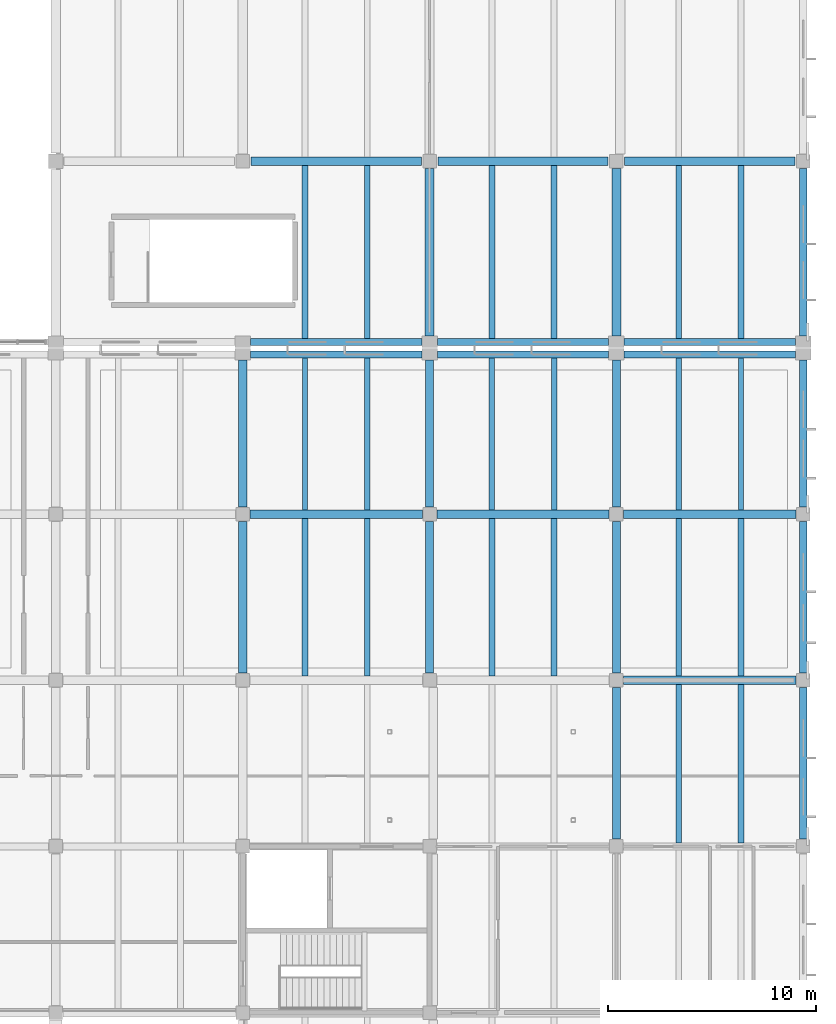
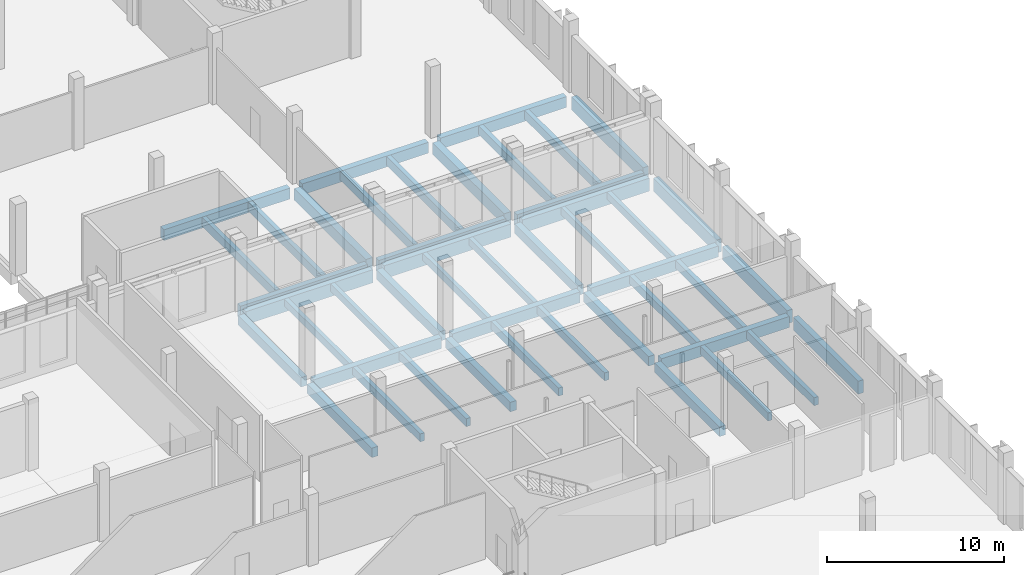
# One storey, part 38 of 110: 46 beams.
"""IFC4 building model written with IfcOpenShell, lengths in metres."""

from ifc_helpers import new_model, si_unit, direction, frame, origin, origin_2d, place, context, subcontext, project, spatial, rectangle, extrude, material, material_profile, profile_set, type_object, element, save


model = new_model("IFC4")

# Units and contexts
model_context = context("Model", 3, precision=1e-05, world=origin(), true_north=direction((0.0, 1.0)))
body_context = subcontext(model_context, "Body", "Model", "MODEL_VIEW")
ifc_project = project(units=[si_unit("LENGTHUNIT", "METRE"), si_unit("AREAUNIT", "SQUARE_METRE"), si_unit("VOLUMEUNIT", "CUBIC_METRE"), si_unit("PLANEANGLEUNIT", "RADIAN"), si_unit("MASSUNIT", "GRAM", prefix="KILO")], contexts=[model_context])

# Site, building, storey
site_placement = place(None, origin())
site = spatial("IfcSite", under=ifc_project, at=site_placement, CompositionType="ELEMENT")
building_placement = place(site_placement, origin())
building = spatial("IfcBuilding", under=site, at=building_placement, Name="Zacnel Wholesale Market", CompositionType="ELEMENT")
storey_placement = place(building_placement, frame((0.0, 0.0, 6.300048828125)))
storey = spatial("IfcBuildingStorey", under=building, at=storey_placement, Name="L02", CompositionType="ELEMENT", Elevation=6.300048828125)

# Beams
ifc_material_1 = material(Name="Precast concrete C45/55", Category="concrete")
ifc_material_profile_1 = material_profile(ifc_material_1, rectangle(XDim=0.280029296875, YDim=0.550048828125, at=origin_2d()), Name="DT RIB 280x550")
ifc_profile_set_1 = profile_set([ifc_material_profile_1], Name="Precast concrete C45/55")
beam_type_1 = type_object("IfcBeamType", Name="BM-DT550", PredefinedType="JOIST", material=ifc_profile_set_1)
for number, where, z_axis, x_axis, name in (
    (1, (210.0, 24.175048828125, -0.574951171875), (0.0, 1.0, 0.0), (-1.0, 0.0, 0.0), "Precast secondary joist L02-0113"),
    (2, (213.0, 24.175048828125, -0.574951171875), (0.0, 1.0, 0.0), (-1.0, 0.0, 0.0), "Precast secondary joist L02-0114"),
):
    element("IfcBeam", number, at=place(storey_placement, frame(where, z_axis=z_axis, x_axis=x_axis)), inside=storey, type_object=beam_type_1, Name=name, PredefinedType="JOIST", context=body_context, shape_type="SweptSolid", body=[
        extrude(rectangle(XDim=0.280029296875, YDim=0.550048828125, at=origin_2d()), origin(), (0.0, 0.0, 1.0), 7.625),
    ])
for number, where, z_axis, x_axis, name in (
    (3, (192.0, 32.199951171875, -0.574951171875), (0.0, 1.0, 0.0), (-1.0, 0.0, 0.0), "Precast secondary joist L02-0143"),
    (4, (195.0, 32.199951171875, -0.574951171875), (0.0, 1.0, 0.0), (-1.0, 0.0, 0.0), "Precast secondary joist L02-0144"),
    (5, (201.0, 32.199951171875, -0.574951171875), (0.0, 1.0, 0.0), (-1.0, 0.0, 0.0), "Precast secondary joist L02-0145"),
    (6, (204.0, 32.199951171875, -0.574951171875), (0.0, 1.0, 0.0), (-1.0, 0.0, 0.0), "Precast secondary joist L02-0146"),
    (7, (210.0, 32.199951171875, -0.574951171875), (0.0, 1.0, 0.0), (-1.0, 0.0, 0.0), "Precast secondary joist L02-0147"),
    (8, (213.0, 32.199951171875, -0.574951171875), (0.0, 1.0, 0.0), (-1.0, 0.0, 0.0), "Precast secondary joist L02-0148"),
):
    element("IfcBeam", number, at=place(storey_placement, frame(where, z_axis=z_axis, x_axis=x_axis)), inside=storey, type_object=beam_type_1, Name=name, PredefinedType="JOIST", context=body_context, shape_type="SweptSolid", body=[
        extrude(rectangle(XDim=0.280029296875, YDim=0.550048828125, at=origin_2d()), origin(), (0.0, 0.0, 1.0), 7.60009765625),
    ])
ifc_material_2 = material(Name="Precast concrete C45/55", Category="concrete")
ifc_material_profile_2 = material_profile(ifc_material_2, rectangle(XDim=0.280029296875, YDim=0.60009765625, at=origin_2d()), Name="DT RIB 280x600")
ifc_profile_set_2 = profile_set([ifc_material_profile_2], Name="Precast concrete C45/55")
beam_type_2 = type_object("IfcBeamType", Name="BM-DT600", PredefinedType="JOIST", material=ifc_profile_set_2)
for number, where, z_axis, x_axis, name in (
    (9, (192.0, 48.47509765625, -0.60009765625), (0.0, 1.0, 0.0), (-1.0, 0.0, 0.0), "Precast secondary joist L02-0197"),
    (10, (195.0, 48.47509765625, -0.60009765625), (0.0, 1.0, 0.0), (-1.0, 0.0, 0.0), "Precast secondary joist L02-0198"),
    (11, (201.0, 48.47509765625, -0.60009765625), (0.0, 1.0, 0.0), (-1.0, 0.0, 0.0), "Precast secondary joist L02-0199"),
    (12, (204.0, 48.47509765625, -0.60009765625), (0.0, 1.0, 0.0), (-1.0, 0.0, 0.0), "Precast secondary joist L02-0200"),
    (13, (210.0, 48.47509765625, -0.60009765625), (0.0, 1.0, 0.0), (-1.0, 0.0, 0.0), "Precast secondary joist L02-0201"),
    (14, (213.0, 48.47509765625, -0.60009765625), (0.0, 1.0, 0.0), (-1.0, 0.0, 0.0), "Precast secondary joist L02-0202"),
):
    element("IfcBeam", number, at=place(storey_placement, frame(where, z_axis=z_axis, x_axis=x_axis)), inside=storey, type_object=beam_type_2, Name=name, PredefinedType="JOIST", context=body_context, shape_type="SweptSolid", body=[
        extrude(rectangle(XDim=0.280029296875, YDim=0.60009765625, at=origin_2d()), origin(), (0.0, 0.0, 1.0), 8.324951171875),
    ])
ifc_material_3 = material(Name="Precast concrete C45/55", Category="concrete")
ifc_material_profile_3 = material_profile(ifc_material_3, rectangle(XDim=0.39990234375, YDim=0.64990234375, at=origin_2d()), Name="PG 400x650")
ifc_profile_set_3 = profile_set([ifc_material_profile_3], Name="Precast concrete C45/55")
beam_type_3 = type_object("IfcBeamType", Name="BM-PG650", PredefinedType="BEAM", material=ifc_profile_set_3)
beam_1_placement = place(storey_placement, frame((189.0, 32.35009765625, -0.625), z_axis=(0.0, 1.0, 0.0), x_axis=(-1.0, 0.0, 0.0)))
element("IfcBeam", 15, at=beam_1_placement, inside=storey, type_object=beam_type_3, Name="Precast girder Y-0517", PredefinedType="BEAM", context=body_context, shape_type="SweptSolid", body=[
    extrude(rectangle(XDim=0.39990234375, YDim=0.64990234375, at=origin_2d()), origin(), (0.0, 0.0, 1.0), 7.2998046875),
])
beam_2_placement = place(storey_placement, frame((189.0, 40.35009765625, -0.625), z_axis=(0.0, 1.0, 0.0), x_axis=(-1.0, 0.0, 0.0)))
element("IfcBeam", 16, at=beam_2_placement, inside=storey, type_object=beam_type_3, Name="Precast girder Y-0518", PredefinedType="BEAM", context=body_context, shape_type="SweptSolid", body=[
    extrude(rectangle(XDim=0.39990234375, YDim=0.64990234375, at=origin_2d()), origin(), (0.0, 0.0, 1.0), 7.074951171875),
])
beam_3_placement = place(storey_placement, frame((198.0, 32.35009765625, -0.625), z_axis=(0.0, 1.0, 0.0), x_axis=(-1.0, 0.0, 0.0)))
element("IfcBeam", 17, at=beam_3_placement, inside=storey, type_object=beam_type_3, Name="Precast girder Y-0528", PredefinedType="BEAM", context=body_context, shape_type="SweptSolid", body=[
    extrude(rectangle(XDim=0.39990234375, YDim=0.64990234375, at=origin_2d()), origin(), (0.0, 0.0, 1.0), 7.2998046875),
])
beam_4_placement = place(storey_placement, frame((198.0, 40.35009765625, -0.625), z_axis=(0.0, 1.0, 0.0), x_axis=(-1.0, 0.0, 0.0)))
element("IfcBeam", 18, at=beam_4_placement, inside=storey, type_object=beam_type_3, Name="Precast girder Y-0529", PredefinedType="BEAM", context=body_context, shape_type="SweptSolid", body=[
    extrude(rectangle(XDim=0.39990234375, YDim=0.64990234375, at=origin_2d()), origin(), (0.0, 0.0, 1.0), 7.074951171875),
])
for number, where, z_axis, x_axis, name in (
    (19, (207.0, 24.35009765625, -0.625), (0.0, 1.0, 0.0), (-1.0, 0.0, 0.0), "Precast girder Y-0538"),
    (20, (207.0, 32.35009765625, -0.625), (0.0, 1.0, 0.0), (-1.0, 0.0, 0.0), "Precast girder Y-0539"),
):
    element("IfcBeam", number, at=place(storey_placement, frame(where, z_axis=z_axis, x_axis=x_axis)), inside=storey, type_object=beam_type_3, Name=name, PredefinedType="BEAM", context=body_context, shape_type="SweptSolid", body=[
        extrude(rectangle(XDim=0.39990234375, YDim=0.64990234375, at=origin_2d()), origin(), (0.0, 0.0, 1.0), 7.2998046875),
    ])
beam_5_placement = place(storey_placement, frame((207.0, 40.35009765625, -0.625), z_axis=(0.0, 1.0, 0.0), x_axis=(-1.0, 0.0, 0.0)))
element("IfcBeam", 21, at=beam_5_placement, inside=storey, type_object=beam_type_3, Name="Precast girder Y-0540", PredefinedType="BEAM", context=body_context, shape_type="SweptSolid", body=[
    extrude(rectangle(XDim=0.39990234375, YDim=0.64990234375, at=origin_2d()), origin(), (0.0, 0.0, 1.0), 7.074951171875),
])
ifc_material_4 = material(Name="Precast concrete C45/55", Category="concrete")
ifc_material_profile_4 = material_profile(ifc_material_4, rectangle(XDim=0.39990234375, YDim=0.75, at=origin_2d()), Name="PG 400x750")
ifc_profile_set_4 = profile_set([ifc_material_profile_4], Name="Precast concrete C45/55")
beam_type_4 = type_object("IfcBeamType", Name="BM-PG750", PredefinedType="BEAM", material=ifc_profile_set_4)
for number, where, z_axis, x_axis, name in (
    (22, (207.35009765625, 32.0, -0.675048828125), (1.0, 0.0, 0.0), (0.0, 1.0, 0.0), "Precast girder X-0093"),
    (23, (189.35009765625, 40.0, -0.675048828125), (1.0, 0.0, 0.0), (0.0, 1.0, 0.0), "Precast girder X-0112"),
    (24, (198.35009765625, 40.0, -0.675048828125), (1.0, 0.0, 0.0), (0.0, 1.0, 0.0), "Precast girder X-0113"),
    (25, (207.35009765625, 40.0, -0.675048828125), (1.0, 0.0, 0.0), (0.0, 1.0, 0.0), "Precast girder X-0114"),
):
    element("IfcBeam", number, at=place(storey_placement, frame(where, z_axis=z_axis, x_axis=x_axis)), inside=storey, type_object=beam_type_4, Name=name, PredefinedType="BEAM", context=body_context, shape_type="SweptSolid", body=[
        extrude(rectangle(XDim=0.39990234375, YDim=0.75, at=origin_2d()), origin(), (0.0, 0.0, 1.0), 8.2998046875),
    ])
for number, where, z_axis, x_axis, name in (
    (26, (189.39990234375, 57.0, -0.675048828125), (1.0, 0.0, 0.0), (0.0, 1.0, 0.0), "Precast girder X-0170"),
    (27, (198.39990234375, 57.0, -0.675048828125), (1.0, 0.0, 0.0), (0.0, 1.0, 0.0), "Precast girder X-0171"),
    (28, (207.39990234375, 57.0, -0.675048828125), (1.0, 0.0, 0.0), (0.0, 1.0, 0.0), "Precast girder X-0172"),
):
    element("IfcBeam", number, at=place(storey_placement, frame(where, z_axis=z_axis, x_axis=x_axis)), inside=storey, type_object=beam_type_4, Name=name, PredefinedType="BEAM", context=body_context, shape_type="SweptSolid", body=[
        extrude(rectangle(XDim=0.39990234375, YDim=0.75, at=origin_2d()), origin(), (0.0, 0.0, 1.0), 8.2001953125),
    ])
ifc_material_5 = material(Name="Precast concrete C45/55", Category="concrete")
ifc_material_profile_5 = material_profile(ifc_material_5, rectangle(XDim=0.449951171875, YDim=0.800048828125, at=origin_2d()), Name="PG 450x800")
ifc_profile_set_5 = profile_set([ifc_material_profile_5], Name="Precast concrete C45/55")
beam_type_5 = type_object("IfcBeamType", Name="BM-PG800", PredefinedType="BEAM", material=ifc_profile_set_5)
for number, where, z_axis, x_axis, name in (
    (29, (198.0, 48.574951171875, -0.699951171875), (0.0, 1.0, 0.0), (-1.0, 0.0, 0.0), "Precast girder Y-0530"),
    (30, (207.0, 48.574951171875, -0.699951171875), (0.0, 1.0, 0.0), (-1.0, 0.0, 0.0), "Precast girder Y-0541"),
):
    element("IfcBeam", number, at=place(storey_placement, frame(where, z_axis=z_axis, x_axis=x_axis)), inside=storey, type_object=beam_type_5, Name=name, PredefinedType="BEAM", context=body_context, shape_type="SweptSolid", body=[
        extrude(rectangle(XDim=0.449951171875, YDim=0.800048828125, at=origin_2d()), origin(), (0.0, 0.0, 1.0), 8.074951171875),
    ])
ifc_material_6 = material(Name="Precast concrete C45/55", Category="concrete")
ifc_material_profile_6 = material_profile(ifc_material_6, rectangle(XDim=0.260009765625, YDim=0.5, at=origin_2d()), Name="PJ 260x500")
ifc_profile_set_6 = profile_set([ifc_material_profile_6], Name="Precast concrete C45/55")
beam_type_6 = type_object("IfcBeamType", Name="BM-PJ500", PredefinedType="HOLLOWCORE", material=ifc_profile_set_6)
for number, where, z_axis, x_axis, name in (
    (31, (192.0, 40.199951171875, -0.550048828125), (0.0, 1.0, 0.0), (-1.0, 0.0, 0.0), "Precast secondary joist L02-0179"),
    (32, (195.0, 40.199951171875, -0.550048828125), (0.0, 1.0, 0.0), (-1.0, 0.0, 0.0), "Precast secondary joist L02-0180"),
    (33, (201.0, 40.199951171875, -0.550048828125), (0.0, 1.0, 0.0), (-1.0, 0.0, 0.0), "Precast secondary joist L02-0181"),
    (34, (204.0, 40.199951171875, -0.550048828125), (0.0, 1.0, 0.0), (-1.0, 0.0, 0.0), "Precast secondary joist L02-0182"),
    (35, (210.0, 40.199951171875, -0.550048828125), (0.0, 1.0, 0.0), (-1.0, 0.0, 0.0), "Precast secondary joist L02-0183"),
    (36, (213.0, 40.199951171875, -0.550048828125), (0.0, 1.0, 0.0), (-1.0, 0.0, 0.0), "Precast secondary joist L02-0184"),
):
    element("IfcBeam", number, at=place(storey_placement, frame(where, z_axis=z_axis, x_axis=x_axis)), inside=storey, type_object=beam_type_6, Name=name, PredefinedType="HOLLOWCORE", context=body_context, shape_type="SweptSolid", body=[
        extrude(rectangle(XDim=0.260009765625, YDim=0.5, at=origin_2d()), origin(), (0.0, 0.0, 1.0), 7.324951171875),
    ])
ifc_material_7 = material(Name="Precast concrete C45/55", Category="concrete")
ifc_material_profile_7 = material_profile(ifc_material_7, rectangle(XDim=0.35009765625, YDim=0.89990234375, at=origin_2d()), Name="SP 350x900")
ifc_profile_set_7 = profile_set([ifc_material_profile_7], Name="Precast concrete C45/55")
beam_type_7 = type_object("IfcBeamType", Name="BM-SP900", PredefinedType="SPANDREL", material=ifc_profile_set_7)
for number, where, z_axis, x_axis, name in (
    (37, (189.375, 47.699951171875, -0.75), (1.0, 0.0, 0.0), (0.0, 1.0, 0.0), "Precast girder X-0134"),
    (38, (198.375, 47.699951171875, -0.75), (1.0, 0.0, 0.0), (0.0, 1.0, 0.0), "Precast girder X-0135"),
    (39, (207.375, 47.699951171875, -0.75), (1.0, 0.0, 0.0), (0.0, 1.0, 0.0), "Precast girder X-0136"),
    (40, (189.375, 48.300048828125, -0.75), (1.0, 0.0, 0.0), (0.0, 1.0, 0.0), "Precast girder X-0152"),
    (41, (198.375, 48.300048828125, -0.75), (1.0, 0.0, 0.0), (0.0, 1.0, 0.0), "Precast girder X-0153"),
    (42, (207.375, 48.300048828125, -0.75), (1.0, 0.0, 0.0), (0.0, 1.0, 0.0), "Precast girder X-0154"),
):
    element("IfcBeam", number, at=place(storey_placement, frame(where, z_axis=z_axis, x_axis=x_axis)), inside=storey, type_object=beam_type_7, Name=name, PredefinedType="SPANDREL", context=body_context, shape_type="SweptSolid", body=[
        extrude(rectangle(XDim=0.35009765625, YDim=0.89990234375, at=origin_2d()), origin(), (0.0, 0.0, 1.0), 8.25),
    ])
for number, where, z_axis, x_axis, name in (
    (43, (216.0, 24.35009765625, -0.75), (0.0, 1.0, 0.0), (-1.0, 0.0, 0.0), "Precast girder Y-0549"),
    (44, (216.0, 32.35009765625, -0.75), (0.0, 1.0, 0.0), (-1.0, 0.0, 0.0), "Precast girder Y-0550"),
):
    element("IfcBeam", number, at=place(storey_placement, frame(where, z_axis=z_axis, x_axis=x_axis)), inside=storey, type_object=beam_type_7, Name=name, PredefinedType="SPANDREL", context=body_context, shape_type="SweptSolid", body=[
        extrude(rectangle(XDim=0.35009765625, YDim=0.89990234375, at=origin_2d()), origin(), (0.0, 0.0, 1.0), 7.2998046875),
    ])
beam_6_placement = place(storey_placement, frame((216.0, 40.35009765625, -0.75), z_axis=(0.0, 1.0, 0.0), x_axis=(-1.0, 0.0, 0.0)))
element("IfcBeam", 45, at=beam_6_placement, inside=storey, type_object=beam_type_7, Name="Precast girder Y-0551", PredefinedType="SPANDREL", context=body_context, shape_type="SweptSolid", body=[
    extrude(rectangle(XDim=0.35009765625, YDim=0.89990234375, at=origin_2d()), origin(), (0.0, 0.0, 1.0), 7.074951171875),
])
beam_7_placement = place(storey_placement, frame((216.0, 48.574951171875, -0.75), z_axis=(0.0, 1.0, 0.0), x_axis=(-1.0, 0.0, 0.0)))
element("IfcBeam", 46, at=beam_7_placement, inside=storey, type_object=beam_type_7, Name="Precast girder Y-0552", PredefinedType="SPANDREL", context=body_context, shape_type="SweptSolid", body=[
    extrude(rectangle(XDim=0.35009765625, YDim=0.89990234375, at=origin_2d()), origin(), (0.0, 0.0, 1.0), 8.074951171875),
])

save(model, "model.ifc")
